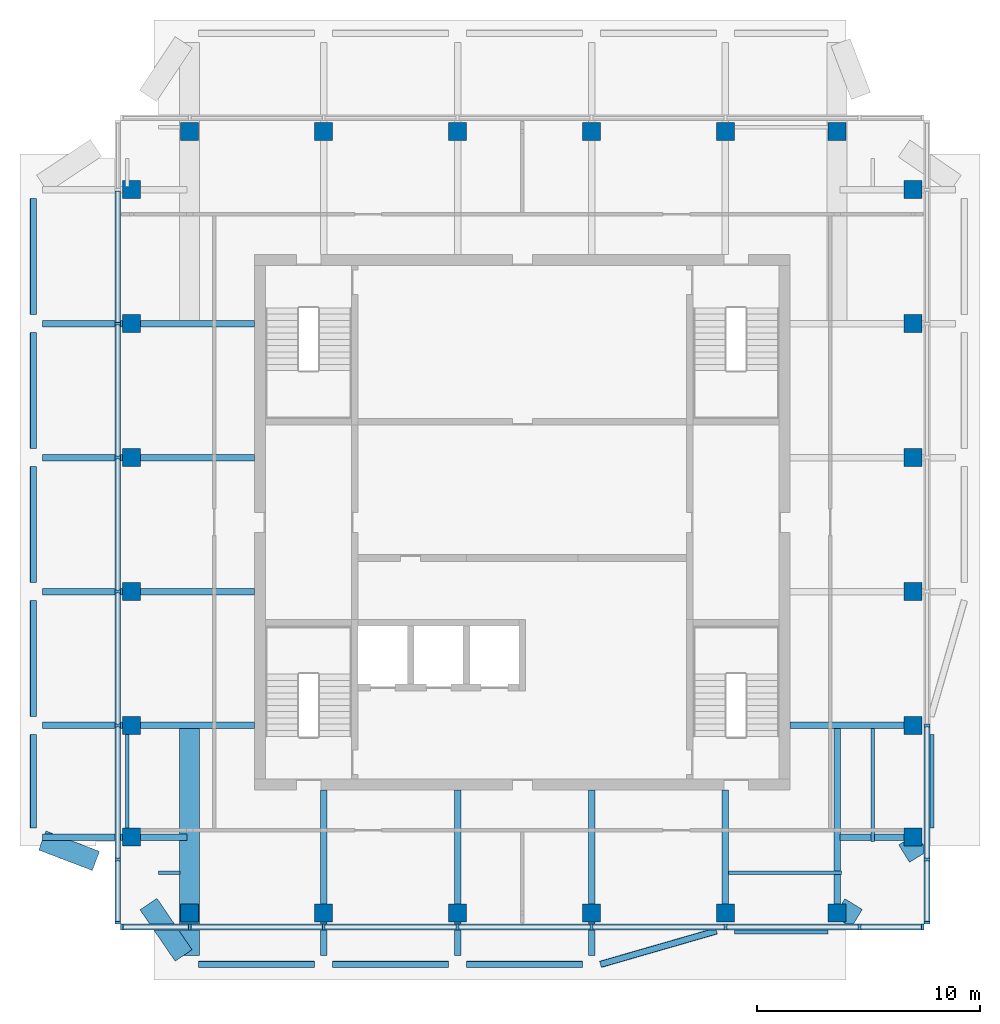
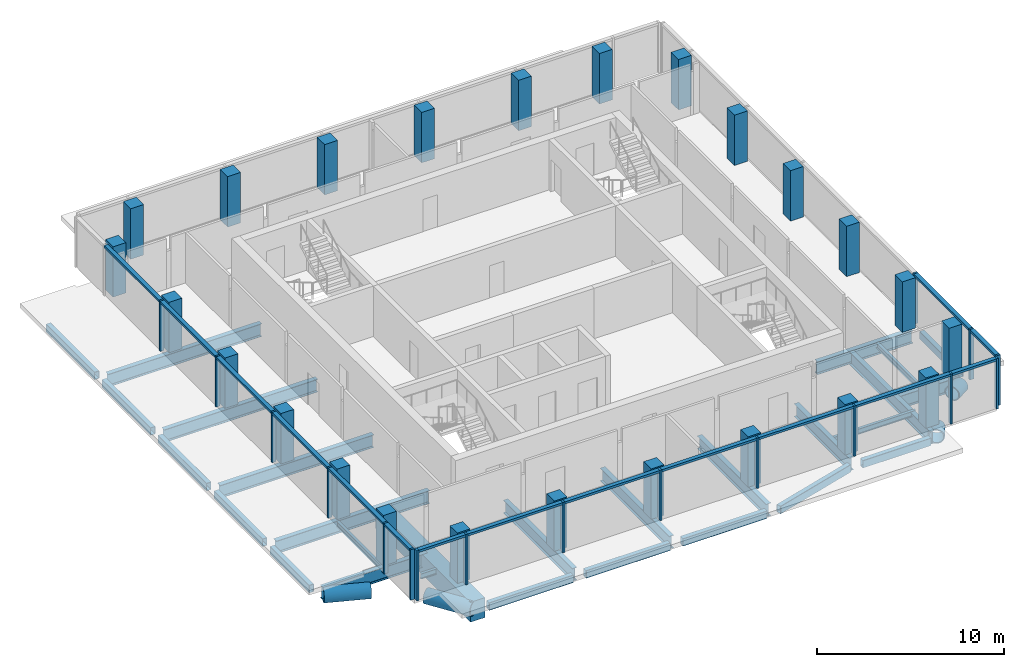
# One storey, part 1 of 6: 32 beams, 32 members, 24 columns, 3 elements without a shape of their own.
"""IFC4 building model written with IfcOpenShell, lengths in metres."""

from ifc_helpers import new_model, si_unit, direction, frame, origin, origin_2d, place, context, subcontext, project, spatial, rectangle, hollow_rectangle, hollow_circle, i_section, extrude, material, material_profile, profile_set, type_object, element, aggregate, save


model = new_model("IFC4")

# Units and contexts
model_context = context("Model", 3, precision=1e-05, world=origin(), true_north=direction((0.0, 1.0)))
body_context = subcontext(model_context, "Body", "Model", "MODEL_VIEW")
ifc_project = project(units=[si_unit("LENGTHUNIT", "METRE"), si_unit("AREAUNIT", "SQUARE_METRE"), si_unit("VOLUMEUNIT", "CUBIC_METRE"), si_unit("PLANEANGLEUNIT", "RADIAN"), si_unit("MASSUNIT", "GRAM", prefix="KILO")], contexts=[model_context])

# Site, building, storey
site_placement = place(None, origin())
site = spatial("IfcSite", under=ifc_project, at=site_placement, CompositionType="ELEMENT")
building_placement = place(site_placement, origin())
building = spatial("IfcBuilding", under=site, at=building_placement, Name="Amberfall Residences", CompositionType="ELEMENT")
storey_placement = place(building_placement, frame((0.0, 0.0, 290.800048828125)))
storey = spatial("IfcBuildingStorey", under=building, at=storey_placement, Name="L78 Crown", CompositionType="ELEMENT", Elevation=290.800048828125)

# Columns
ifc_material_1 = material(Name="Concrete C50", Category="concrete")
ifc_material_profile_1 = material_profile(ifc_material_1, rectangle(XDim=0.800048828125, YDim=0.800048828125, at=origin_2d()), Name="Column 800 x 800 C50")
ifc_profile_set_1 = profile_set([ifc_material_profile_1], Name="Concrete C50")
column_type = type_object("IfcColumnType", Name="Column 800 x 800 C50", PredefinedType="COLUMN", material=ifc_profile_set_1)
for number, where, z_axis, x_axis, name in (
    (1, (59.60009765625, 28.0, 0.0), (0.0, 0.0, 1.0), (1.0, 0.0, 0.0), "Column C5 L78 Crown S1"),
    (2, (65.60009765625, 28.0, 0.0), (0.0, 0.0, 1.0), (1.0, 0.0, 0.0), "Column C5 L78 Crown S2"),
    (3, (71.60009765625, 28.0, 0.0), (0.0, 0.0, 1.0), (1.0, 0.0, 0.0), "Column C5 L78 Crown S3"),
    (4, (77.60009765625, 28.0, 0.0), (0.0, 0.0, 1.0), (1.0, 0.0, 0.0), "Column C5 L78 Crown S4"),
    (5, (83.60009765625, 28.0, 0.0), (0.0, 0.0, 1.0), (1.0, 0.0, 0.0), "Column C5 L78 Crown S5"),
    (6, (88.60009765625, 28.0, 0.0), (0.0, 0.0, 1.0), (1.0, 0.0, 0.0), "Column C5 L78 Crown S6"),
    (7, (92.0, 31.39990234375, 0.0), (0.0, 0.0, 1.0), (1.0, 0.0, 0.0), "Column C5 L78 Crown E1"),
    (8, (92.0, 36.39990234375, 0.0), (0.0, 0.0, 1.0), (1.0, 0.0, 0.0), "Column C5 L78 Crown E2"),
    (9, (92.0, 42.39990234375, 0.0), (0.0, 0.0, 1.0), (1.0, 0.0, 0.0), "Column C5 L78 Crown E3"),
    (10, (92.0, 48.39990234375, 0.0), (0.0, 0.0, 1.0), (1.0, 0.0, 0.0), "Column C5 L78 Crown E4"),
    (11, (92.0, 54.39990234375, 0.0), (0.0, 0.0, 1.0), (1.0, 0.0, 0.0), "Column C5 L78 Crown E5"),
    (12, (92.0, 60.39990234375, 0.0), (0.0, 0.0, 1.0), (1.0, 0.0, 0.0), "Column C5 L78 Crown E6"),
    (13, (59.60009765625, 63.0, 0.0), (0.0, 0.0, 1.0), (1.0, 0.0, 0.0), "Column C5 L78 Crown N1"),
    (14, (65.60009765625, 63.0, 0.0), (0.0, 0.0, 1.0), (1.0, 0.0, 0.0), "Column C5 L78 Crown N2"),
    (15, (71.60009765625, 63.0, 0.0), (0.0, 0.0, 1.0), (1.0, 0.0, 0.0), "Column C5 L78 Crown N3"),
    (16, (77.60009765625, 63.0, 0.0), (0.0, 0.0, 1.0), (1.0, 0.0, 0.0), "Column C5 L78 Crown N4"),
    (17, (83.60009765625, 63.0, 0.0), (0.0, 0.0, 1.0), (1.0, 0.0, 0.0), "Column C5 L78 Crown N5"),
    (18, (88.60009765625, 63.0, 0.0), (0.0, 0.0, 1.0), (1.0, 0.0, 0.0), "Column C5 L78 Crown N6"),
    (19, (57.0, 31.39990234375, 0.0), (0.0, 0.0, 1.0), (1.0, 0.0, 0.0), "Column C5 L78 Crown W1"),
    (20, (57.0, 36.39990234375, 0.0), (0.0, 0.0, 1.0), (1.0, 0.0, 0.0), "Column C5 L78 Crown W2"),
    (21, (57.0, 42.39990234375, 0.0), (0.0, 0.0, 1.0), (1.0, 0.0, 0.0), "Column C5 L78 Crown W3"),
    (22, (57.0, 48.39990234375, 0.0), (0.0, 0.0, 1.0), (1.0, 0.0, 0.0), "Column C5 L78 Crown W4"),
    (23, (57.0, 54.39990234375, 0.0), (0.0, 0.0, 1.0), (1.0, 0.0, 0.0), "Column C5 L78 Crown W5"),
    (24, (57.0, 60.39990234375, 0.0), (0.0, 0.0, 1.0), (1.0, 0.0, 0.0), "Column C5 L78 Crown W6"),
):
    element("IfcColumn", number, at=place(storey_placement, frame(where, z_axis=z_axis, x_axis=x_axis)), inside=storey, type_object=column_type, Name=name, PredefinedType="COLUMN", context=body_context, shape_type="SweptSolid", body=[
        extrude(rectangle(XDim=0.800048828125, YDim=0.800048828125, at=origin_2d()), origin(), (0.0, 0.0, 1.0), 3.300048828125),
    ])

# Beams
ifc_material_2 = material(Name="Steel S355", Category="steel")
ifc_material_profile_2 = material_profile(ifc_material_2, hollow_circle(Radius=0.457275390625, WallThickness=0.06005859375, at=origin_2d()), Name="CHS 914.4x60")
ifc_profile_set_2 = profile_set([ifc_material_profile_2], Name="Steel S355")
beam_type_1 = type_object("IfcBeamType", Name="Belt truss chord BT CHS 914.4x60", PredefinedType="BEAM", material=ifc_profile_set_2)
beam_1_placement = place(storey_placement, frame((57.756103515625, 28.39990234375, -0.75732421875), z_axis=(0.564011218979, -0.825767125082, 0.0), x_axis=(0.825767125082, 0.564011218979, 0.0)))
element("IfcBeam", 25, at=beam_1_placement, inside=storey, type_object=beam_type_1, Name="Belt truss chord BT BT2 L78 Crown 45", PredefinedType="BEAM", context=body_context, shape_type="SweptSolid", body=[
    extrude(hollow_circle(Radius=0.457275390625, WallThickness=0.06005859375, at=origin_2d()), origin(), (0.0, 0.0, 1.0), 2.78515625),
])
beam_2_placement = place(storey_placement, frame((55.39990234375, 30.333251953125, -0.75732421875), z_axis=(-0.934480204889, 0.356015093317, 0.0), x_axis=(-0.356015093317, -0.934480204889, 0.0)))
element("IfcBeam", 26, at=beam_2_placement, inside=storey, type_object=beam_type_1, Name="Belt truss chord BT BT2 L78 Crown 46", PredefinedType="BEAM", context=body_context, shape_type="SweptSolid", body=[
    extrude(hollow_circle(Radius=0.457275390625, WallThickness=0.06005859375, at=origin_2d()), origin(), (0.0, 0.0, 1.0), 2.568115234375),
])
for number, where, z_axis, x_axis, name in (
    (27, (89.33837890625, 28.39990234375, -0.75732421875), (-0.524097425664, -0.851658316705, 0.0), (0.851658316705, -0.524097425664, 0.0), "Belt truss chord BT BT2 L78 Crown 47"),
    (28, (91.60009765625, 30.66162109375, -0.75732421875), (0.851658316705, 0.524097425664, 0.0), (-0.524097425664, 0.851658316705, 0.0), "Belt truss chord BT BT2 L78 Crown 48"),
):
    element("IfcBeam", number, at=place(storey_placement, frame(where, z_axis=z_axis, x_axis=x_axis)), inside=storey, type_object=beam_type_1, Name=name, PredefinedType="BEAM", context=body_context, shape_type="SweptSolid", body=[
        extrude(hollow_circle(Radius=0.457275390625, WallThickness=0.06005859375, at=origin_2d()), origin(), (0.0, 0.0, 1.0), 0.939208984375),
    ])
ifc_material_profile_3 = material_profile(ifc_material_2, hollow_rectangle(XDim=0.300048828125, YDim=0.5, WallThickness=0.01611328125, InnerFilletRadius=0.01611328125, OuterFilletRadius=0.02392578125, at=origin_2d()), Name="RHS 500x300x16")
ifc_profile_set_3 = profile_set([ifc_material_profile_3], Name="Steel S355")
beam_type_2 = type_object("IfcBeamType", Name="Belt truss chord BT RHS 500x300x16", PredefinedType="BEAM", material=ifc_profile_set_3)
for number, where, z_axis, x_axis, name in (
    (29, (60.0, 25.699951171875, -0.550048828125), (1.0, 0.0, 0.0), (0.0, 1.0, 0.0), "Belt truss chord BT BT1 L78 Crown 01"),
    (30, (66.0, 25.699951171875, -0.550048828125), (1.0, 0.0, 0.0), (0.0, 1.0, 0.0), "Belt truss chord BT BT1 L78 Crown 02"),
    (31, (72.0, 25.699951171875, -0.550048828125), (1.0, 0.0, 0.0), (0.0, 1.0, 0.0), "Belt truss chord BT BT1 L78 Crown 03"),
):
    element("IfcBeam", number, at=place(storey_placement, frame(where, z_axis=z_axis, x_axis=x_axis)), inside=storey, type_object=beam_type_2, Name=name, PredefinedType="BEAM", context=body_context, shape_type="SweptSolid", body=[
        extrude(hollow_rectangle(XDim=0.300048828125, YDim=0.5, WallThickness=0.01611328125, InnerFilletRadius=0.01611328125, OuterFilletRadius=0.02392578125, at=origin_2d()), origin(), (0.0, 0.0, 1.0), 5.199951171875),
    ])
beam_3_placement = place(storey_placement, frame((78.0, 25.699951171875, -0.550048828125), z_axis=(0.960822898108, 0.277163053945, 0.0), x_axis=(-0.277163053945, 0.960822898108, 0.0)))
element("IfcBeam", 32, at=beam_3_placement, inside=storey, type_object=beam_type_2, Name="Belt truss chord BT BT1 L78 Crown 04", PredefinedType="BEAM", context=body_context, shape_type="SweptSolid", body=[
    extrude(hollow_rectangle(XDim=0.300048828125, YDim=0.5, WallThickness=0.01611328125, InnerFilletRadius=0.01611328125, OuterFilletRadius=0.02392578125, at=origin_2d()), origin(), (0.0, 0.0, 1.0), 5.411865234375),
])
for number, where, z_axis, x_axis, name in (
    (33, (84.0, 27.199951171875, -0.550048828125), (1.0, 0.0, 0.0), (0.0, 1.0, 0.0), "Belt truss chord BT BT1 L78 Crown 05"),
    (34, (92.800048828125, 31.800048828125, -0.550048828125), (0.0, 1.0, 0.0), (-1.0, 0.0, 0.0), "Belt truss chord BT BT1 L78 Crown 12"),
    (35, (52.60009765625, 31.800048828125, -0.550048828125), (0.0, 1.0, 0.0), (-1.0, 0.0, 0.0), "Belt truss chord BT BT1 L78 Crown 34"),
):
    element("IfcBeam", number, at=place(storey_placement, frame(where, z_axis=z_axis, x_axis=x_axis)), inside=storey, type_object=beam_type_2, Name=name, PredefinedType="BEAM", context=body_context, shape_type="SweptSolid", body=[
        extrude(hollow_rectangle(XDim=0.300048828125, YDim=0.5, WallThickness=0.01611328125, InnerFilletRadius=0.01611328125, OuterFilletRadius=0.02392578125, at=origin_2d()), origin(), (0.0, 0.0, 1.0), 4.199951171875),
    ])
for number, where, z_axis, x_axis, name in (
    (36, (52.60009765625, 36.800048828125, -0.550048828125), (0.0, 1.0, 0.0), (-1.0, 0.0, 0.0), "Belt truss chord BT BT1 L78 Crown 35"),
    (37, (52.60009765625, 42.800048828125, -0.550048828125), (0.0, 1.0, 0.0), (-1.0, 0.0, 0.0), "Belt truss chord BT BT1 L78 Crown 36"),
    (38, (52.60009765625, 48.800048828125, -0.550048828125), (0.0, 1.0, 0.0), (-1.0, 0.0, 0.0), "Belt truss chord BT BT1 L78 Crown 37"),
    (39, (52.60009765625, 54.800048828125, -0.550048828125), (0.0, 1.0, 0.0), (-1.0, 0.0, 0.0), "Belt truss chord BT BT1 L78 Crown 38"),
):
    element("IfcBeam", number, at=place(storey_placement, frame(where, z_axis=z_axis, x_axis=x_axis)), inside=storey, type_object=beam_type_2, Name=name, PredefinedType="BEAM", context=body_context, shape_type="SweptSolid", body=[
        extrude(hollow_rectangle(XDim=0.300048828125, YDim=0.5, WallThickness=0.01611328125, InnerFilletRadius=0.01611328125, OuterFilletRadius=0.02392578125, at=origin_2d()), origin(), (0.0, 0.0, 1.0), 5.199951171875),
    ])

# Curtain wall, members
ifc_material_3 = material(Name="Bronze anodised aluminium and glass", Category="aluminium")
curtain_wall_type = type_object("IfcCurtainWallType", Name="Curtain wall CW6 crown louvre", PredefinedType="USERDEFINED", material=ifc_material_3)
curtain_wall_1_placement = place(storey_placement, origin())
curtain_wall_1 = element("IfcCurtainWall", 40, at=curtain_wall_1_placement, inside=storey, type_object=curtain_wall_type, Name="Curtain wall L78 Crown S S1", ObjectType="UNITISED CURTAIN WALL", PredefinedType="USERDEFINED")
ifc_material_4 = material(Name="Bronze anodised aluminium", Category="aluminium")
ifc_material_profile_4 = material_profile(ifc_material_4, rectangle(XDim=0.25, YDim=0.1201171875, at=origin_2d()), Name="CW6 mullion 120 x 250 bronze")
ifc_profile_set_4 = profile_set([ifc_material_profile_4], Name="Bronze anodised aluminium")
member_type_1 = type_object("IfcMemberType", Name="CW6 mullion 120 x 250 bronze", PredefinedType="MULLION", material=ifc_profile_set_4)
member_1_placement = place(storey_placement, frame((56.56005859375, 27.375, 0.0), z_axis=(0.0, 0.0, 1.0), x_axis=(0.0, 1.0, 0.0)))
member_1 = element("IfcMember", 41, at=member_1_placement, type_object=member_type_1, Name="CW6 mullion 1", PredefinedType="MULLION", context=body_context, shape_type="SweptSolid", body=[
    extrude(rectangle(XDim=0.25, YDim=0.1201171875, at=origin_2d()), origin(), (0.0, 0.0, 1.0), 3.300048828125),
])
member_2_placement = place(storey_placement, frame((59.60009765625, 27.375, 0.0), z_axis=(0.0, 0.0, 1.0), x_axis=(0.0, 1.0, 0.0)))
member_2 = element("IfcMember", 42, at=member_2_placement, type_object=member_type_1, Name="CW6 mullion 2", PredefinedType="MULLION", context=body_context, shape_type="SweptSolid", body=[
    extrude(rectangle(XDim=0.25, YDim=0.1201171875, at=origin_2d()), origin(), (0.0, 0.0, 1.0), 3.300048828125),
])
member_3_placement = place(storey_placement, frame((65.60009765625, 27.375, 0.0), z_axis=(0.0, 0.0, 1.0), x_axis=(0.0, 1.0, 0.0)))
member_3 = element("IfcMember", 43, at=member_3_placement, type_object=member_type_1, Name="CW6 mullion 3", PredefinedType="MULLION", context=body_context, shape_type="SweptSolid", body=[
    extrude(rectangle(XDim=0.25, YDim=0.1201171875, at=origin_2d()), origin(), (0.0, 0.0, 1.0), 3.300048828125),
])
member_4_placement = place(storey_placement, frame((71.60009765625, 27.375, 0.0), z_axis=(0.0, 0.0, 1.0), x_axis=(0.0, 1.0, 0.0)))
member_4 = element("IfcMember", 44, at=member_4_placement, type_object=member_type_1, Name="CW6 mullion 4", PredefinedType="MULLION", context=body_context, shape_type="SweptSolid", body=[
    extrude(rectangle(XDim=0.25, YDim=0.1201171875, at=origin_2d()), origin(), (0.0, 0.0, 1.0), 3.300048828125),
])
member_5_placement = place(storey_placement, frame((77.60009765625, 27.375, 0.0), z_axis=(0.0, 0.0, 1.0), x_axis=(0.0, 1.0, 0.0)))
member_5 = element("IfcMember", 45, at=member_5_placement, type_object=member_type_1, Name="CW6 mullion 5", PredefinedType="MULLION", context=body_context, shape_type="SweptSolid", body=[
    extrude(rectangle(XDim=0.25, YDim=0.1201171875, at=origin_2d()), origin(), (0.0, 0.0, 1.0), 3.300048828125),
])
member_6_placement = place(storey_placement, frame((83.60009765625, 27.375, 0.0), z_axis=(0.0, 0.0, 1.0), x_axis=(0.0, 1.0, 0.0)))
member_6 = element("IfcMember", 46, at=member_6_placement, type_object=member_type_1, Name="CW6 mullion 6", PredefinedType="MULLION", context=body_context, shape_type="SweptSolid", body=[
    extrude(rectangle(XDim=0.25, YDim=0.1201171875, at=origin_2d()), origin(), (0.0, 0.0, 1.0), 3.300048828125),
])
member_7_placement = place(storey_placement, frame((89.60009765625, 27.375, 0.0), z_axis=(0.0, 0.0, 1.0), x_axis=(0.0, 1.0, 0.0)))
member_7 = element("IfcMember", 47, at=member_7_placement, type_object=member_type_1, Name="CW6 mullion 7", PredefinedType="MULLION", context=body_context, shape_type="SweptSolid", body=[
    extrude(rectangle(XDim=0.25, YDim=0.1201171875, at=origin_2d()), origin(), (0.0, 0.0, 1.0), 3.300048828125),
])
member_8_placement = place(storey_placement, frame((92.43994140625, 27.375, 0.0), z_axis=(0.0, 0.0, 1.0), x_axis=(0.0, 1.0, 0.0)))
member_8 = element("IfcMember", 48, at=member_8_placement, type_object=member_type_1, Name="CW6 mullion 8", PredefinedType="MULLION", context=body_context, shape_type="SweptSolid", body=[
    extrude(rectangle(XDim=0.25, YDim=0.1201171875, at=origin_2d()), origin(), (0.0, 0.0, 1.0), 3.300048828125),
])

curtain_wall_2_placement = place(storey_placement, origin())
curtain_wall_2 = element("IfcCurtainWall", 49, at=curtain_wall_2_placement, inside=storey, type_object=curtain_wall_type, Name="Curtain wall L78 Crown E E1", ObjectType="UNITISED CURTAIN WALL", PredefinedType="USERDEFINED")
member_9_placement = place(storey_placement, frame((92.625, 27.56005859375, 0.0), z_axis=(0.0, 0.0, 1.0), x_axis=(-1.0, 0.0, 0.0)))
member_9 = element("IfcMember", 50, at=member_9_placement, type_object=member_type_1, Name="CW6 mullion 1", PredefinedType="MULLION", context=body_context, shape_type="SweptSolid", body=[
    extrude(rectangle(XDim=0.25, YDim=0.1201171875, at=origin_2d()), origin(), (0.0, 0.0, 1.0), 3.300048828125),
])
member_10_placement = place(storey_placement, frame((92.625, 30.39990234375, 0.0), z_axis=(0.0, 0.0, 1.0), x_axis=(-1.0, 0.0, 0.0)))
member_10 = element("IfcMember", 51, at=member_10_placement, type_object=member_type_1, Name="CW6 mullion 2", PredefinedType="MULLION", context=body_context, shape_type="SweptSolid", body=[
    extrude(rectangle(XDim=0.25, YDim=0.1201171875, at=origin_2d()), origin(), (0.0, 0.0, 1.0), 3.300048828125),
])
member_11_placement = place(storey_placement, frame((92.625, 36.39990234375, 0.0), z_axis=(0.0, 0.0, 1.0), x_axis=(-1.0, 0.0, 0.0)))
member_11 = element("IfcMember", 52, at=member_11_placement, type_object=member_type_1, Name="CW6 mullion 3", PredefinedType="MULLION", context=body_context, shape_type="SweptSolid", body=[
    extrude(rectangle(XDim=0.25, YDim=0.1201171875, at=origin_2d()), origin(), (0.0, 0.0, 1.0), 3.300048828125),
])

curtain_wall_3_placement = place(storey_placement, origin())
curtain_wall_3 = element("IfcCurtainWall", 53, at=curtain_wall_3_placement, inside=storey, type_object=curtain_wall_type, Name="Curtain wall L78 Crown W W1", ObjectType="UNITISED CURTAIN WALL", PredefinedType="USERDEFINED")
member_12_placement = place(storey_placement, frame((56.375, 54.39990234375, 0.0), z_axis=(0.0, 0.0, 1.0), x_axis=(1.0, 0.0, 0.0)))
member_12 = element("IfcMember", 54, at=member_12_placement, type_object=member_type_1, Name="CW6 mullion 3", PredefinedType="MULLION", context=body_context, shape_type="SweptSolid", body=[
    extrude(rectangle(XDim=0.25, YDim=0.1201171875, at=origin_2d()), origin(), (0.0, 0.0, 1.0), 3.300048828125),
])
member_13_placement = place(storey_placement, frame((56.375, 48.39990234375, 0.0), z_axis=(0.0, 0.0, 1.0), x_axis=(1.0, 0.0, 0.0)))
member_13 = element("IfcMember", 55, at=member_13_placement, type_object=member_type_1, Name="CW6 mullion 4", PredefinedType="MULLION", context=body_context, shape_type="SweptSolid", body=[
    extrude(rectangle(XDim=0.25, YDim=0.1201171875, at=origin_2d()), origin(), (0.0, 0.0, 1.0), 3.300048828125),
])
member_14_placement = place(storey_placement, frame((56.375, 42.39990234375, 0.0), z_axis=(0.0, 0.0, 1.0), x_axis=(1.0, 0.0, 0.0)))
member_14 = element("IfcMember", 56, at=member_14_placement, type_object=member_type_1, Name="CW6 mullion 5", PredefinedType="MULLION", context=body_context, shape_type="SweptSolid", body=[
    extrude(rectangle(XDim=0.25, YDim=0.1201171875, at=origin_2d()), origin(), (0.0, 0.0, 1.0), 3.300048828125),
])
member_15_placement = place(storey_placement, frame((56.375, 36.39990234375, 0.0), z_axis=(0.0, 0.0, 1.0), x_axis=(1.0, 0.0, 0.0)))
member_15 = element("IfcMember", 57, at=member_15_placement, type_object=member_type_1, Name="CW6 mullion 6", PredefinedType="MULLION", context=body_context, shape_type="SweptSolid", body=[
    extrude(rectangle(XDim=0.25, YDim=0.1201171875, at=origin_2d()), origin(), (0.0, 0.0, 1.0), 3.300048828125),
])
member_16_placement = place(storey_placement, frame((56.375, 30.39990234375, 0.0), z_axis=(0.0, 0.0, 1.0), x_axis=(1.0, 0.0, 0.0)))
member_16 = element("IfcMember", 58, at=member_16_placement, type_object=member_type_1, Name="CW6 mullion 7", PredefinedType="MULLION", context=body_context, shape_type="SweptSolid", body=[
    extrude(rectangle(XDim=0.25, YDim=0.1201171875, at=origin_2d()), origin(), (0.0, 0.0, 1.0), 3.300048828125),
])
member_17_placement = place(storey_placement, frame((56.375, 27.56005859375, 0.0), z_axis=(0.0, 0.0, 1.0), x_axis=(1.0, 0.0, 0.0)))
member_17 = element("IfcMember", 59, at=member_17_placement, type_object=member_type_1, Name="CW6 mullion 8", PredefinedType="MULLION", context=body_context, shape_type="SweptSolid", body=[
    extrude(rectangle(XDim=0.25, YDim=0.1201171875, at=origin_2d()), origin(), (0.0, 0.0, 1.0), 3.300048828125),
])

# Member
ifc_material_profile_5 = material_profile(ifc_material_4, rectangle(XDim=0.25, YDim=0.14990234375, at=origin_2d()), Name="CW6 transom 250 x 150 bronze")
ifc_profile_set_5 = profile_set([ifc_material_profile_5], Name="Bronze anodised aluminium")
member_type_2 = type_object("IfcMemberType", Name="CW6 transom 250 x 150 bronze", PredefinedType="USERDEFINED", material=ifc_profile_set_5)
member_18_placement = place(storey_placement, frame((56.6201171875, 27.375, 3.224853515625), z_axis=(1.0, 0.0, 0.0), x_axis=(0.0, 1.0, 0.0)))
member_18 = element("IfcMember", 60, at=member_18_placement, type_object=member_type_2, Name="CW6 transom 1.1", ObjectType="TRANSOM", PredefinedType="USERDEFINED", context=body_context, shape_type="SweptSolid", body=[
    extrude(rectangle(XDim=0.25, YDim=0.14990234375, at=origin_2d()), origin(), (0.0, 0.0, 1.0), 2.919921875),
])

member_19_placement = place(storey_placement, frame((59.659912109375, 27.375, 3.224853515625), z_axis=(1.0, 0.0, 0.0), x_axis=(0.0, 1.0, 0.0)))
member_19 = element("IfcMember", 61, at=member_19_placement, type_object=member_type_2, Name="CW6 transom 2.1", ObjectType="TRANSOM", PredefinedType="USERDEFINED", context=body_context, shape_type="SweptSolid", body=[
    extrude(rectangle(XDim=0.25, YDim=0.14990234375, at=origin_2d()), origin(), (0.0, 0.0, 1.0), 5.880126953125),
])

member_20_placement = place(storey_placement, frame((65.659912109375, 27.375, 3.224853515625), z_axis=(1.0, 0.0, 0.0), x_axis=(0.0, 1.0, 0.0)))
member_20 = element("IfcMember", 62, at=member_20_placement, type_object=member_type_2, Name="CW6 transom 3.1", ObjectType="TRANSOM", PredefinedType="USERDEFINED", context=body_context, shape_type="SweptSolid", body=[
    extrude(rectangle(XDim=0.25, YDim=0.14990234375, at=origin_2d()), origin(), (0.0, 0.0, 1.0), 5.880126953125),
])

member_21_placement = place(storey_placement, frame((71.659912109375, 27.375, 3.224853515625), z_axis=(1.0, 0.0, 0.0), x_axis=(0.0, 1.0, 0.0)))
member_21 = element("IfcMember", 63, at=member_21_placement, type_object=member_type_2, Name="CW6 transom 4.1", ObjectType="TRANSOM", PredefinedType="USERDEFINED", context=body_context, shape_type="SweptSolid", body=[
    extrude(rectangle(XDim=0.25, YDim=0.14990234375, at=origin_2d()), origin(), (0.0, 0.0, 1.0), 5.880126953125),
])

member_22_placement = place(storey_placement, frame((77.659912109375, 27.375, 3.224853515625), z_axis=(1.0, 0.0, 0.0), x_axis=(0.0, 1.0, 0.0)))
member_22 = element("IfcMember", 64, at=member_22_placement, type_object=member_type_2, Name="CW6 transom 5.1", ObjectType="TRANSOM", PredefinedType="USERDEFINED", context=body_context, shape_type="SweptSolid", body=[
    extrude(rectangle(XDim=0.25, YDim=0.14990234375, at=origin_2d()), origin(), (0.0, 0.0, 1.0), 5.880126953125),
])

member_23_placement = place(storey_placement, frame((83.659912109375, 27.375, 3.224853515625), z_axis=(1.0, 0.0, 0.0), x_axis=(0.0, 1.0, 0.0)))
member_23 = element("IfcMember", 65, at=member_23_placement, type_object=member_type_2, Name="CW6 transom 6.1", ObjectType="TRANSOM", PredefinedType="USERDEFINED", context=body_context, shape_type="SweptSolid", body=[
    extrude(rectangle(XDim=0.25, YDim=0.14990234375, at=origin_2d()), origin(), (0.0, 0.0, 1.0), 5.880126953125),
])

member_24_placement = place(storey_placement, frame((89.659912109375, 27.375, 3.224853515625), z_axis=(1.0, 0.0, 0.0), x_axis=(0.0, 1.0, 0.0)))
member_24 = element("IfcMember", 66, at=member_24_placement, type_object=member_type_2, Name="CW6 transom 7.1", ObjectType="TRANSOM", PredefinedType="USERDEFINED", context=body_context, shape_type="SweptSolid", body=[
    extrude(rectangle(XDim=0.25, YDim=0.14990234375, at=origin_2d()), origin(), (0.0, 0.0, 1.0), 2.719970703125),
])

aggregate(curtain_wall_1, [member_1, member_2, member_3, member_4, member_5, member_6, member_7, member_8, member_18, member_19, member_20, member_21, member_22, member_23, member_24])

member_25_placement = place(storey_placement, frame((92.625, 27.6201171875, 3.224853515625), z_axis=(0.0, 1.0, 0.0), x_axis=(-1.0, 0.0, 0.0)))
member_25 = element("IfcMember", 67, at=member_25_placement, type_object=member_type_2, Name="CW6 transom 1.1", ObjectType="TRANSOM", PredefinedType="USERDEFINED", context=body_context, shape_type="SweptSolid", body=[
    extrude(rectangle(XDim=0.25, YDim=0.14990234375, at=origin_2d()), origin(), (0.0, 0.0, 1.0), 2.719970703125),
])

member_26_placement = place(storey_placement, frame((92.625, 30.4599609375, 3.224853515625), z_axis=(0.0, 1.0, 0.0), x_axis=(-1.0, 0.0, 0.0)))
member_26 = element("IfcMember", 68, at=member_26_placement, type_object=member_type_2, Name="CW6 transom 2.1", ObjectType="TRANSOM", PredefinedType="USERDEFINED", context=body_context, shape_type="SweptSolid", body=[
    extrude(rectangle(XDim=0.25, YDim=0.14990234375, at=origin_2d()), origin(), (0.0, 0.0, 1.0), 5.880126953125),
])

aggregate(curtain_wall_2, [member_9, member_10, member_11, member_25, member_26])

member_27_placement = place(storey_placement, frame((56.375, 60.340087890625, 3.224853515625), z_axis=(0.0, -1.0, 0.0), x_axis=(1.0, 0.0, 0.0)))
member_27 = element("IfcMember", 69, at=member_27_placement, type_object=member_type_2, Name="CW6 transom 2.1", ObjectType="TRANSOM", PredefinedType="USERDEFINED", context=body_context, shape_type="SweptSolid", body=[
    extrude(rectangle(XDim=0.25, YDim=0.14990234375, at=origin_2d()), origin(), (0.0, 0.0, 1.0), 5.880126953125),
])

member_28_placement = place(storey_placement, frame((56.375, 54.340087890625, 3.224853515625), z_axis=(0.0, -1.0, 0.0), x_axis=(1.0, 0.0, 0.0)))
member_28 = element("IfcMember", 70, at=member_28_placement, type_object=member_type_2, Name="CW6 transom 3.1", ObjectType="TRANSOM", PredefinedType="USERDEFINED", context=body_context, shape_type="SweptSolid", body=[
    extrude(rectangle(XDim=0.25, YDim=0.14990234375, at=origin_2d()), origin(), (0.0, 0.0, 1.0), 5.880126953125),
])

member_29_placement = place(storey_placement, frame((56.375, 48.340087890625, 3.224853515625), z_axis=(0.0, -1.0, 0.0), x_axis=(1.0, 0.0, 0.0)))
member_29 = element("IfcMember", 71, at=member_29_placement, type_object=member_type_2, Name="CW6 transom 4.1", ObjectType="TRANSOM", PredefinedType="USERDEFINED", context=body_context, shape_type="SweptSolid", body=[
    extrude(rectangle(XDim=0.25, YDim=0.14990234375, at=origin_2d()), origin(), (0.0, 0.0, 1.0), 5.880126953125),
])

member_30_placement = place(storey_placement, frame((56.375, 42.340087890625, 3.224853515625), z_axis=(0.0, -1.0, 0.0), x_axis=(1.0, 0.0, 0.0)))
member_30 = element("IfcMember", 72, at=member_30_placement, type_object=member_type_2, Name="CW6 transom 5.1", ObjectType="TRANSOM", PredefinedType="USERDEFINED", context=body_context, shape_type="SweptSolid", body=[
    extrude(rectangle(XDim=0.25, YDim=0.14990234375, at=origin_2d()), origin(), (0.0, 0.0, 1.0), 5.880126953125),
])

member_31_placement = place(storey_placement, frame((56.375, 36.340087890625, 3.224853515625), z_axis=(0.0, -1.0, 0.0), x_axis=(1.0, 0.0, 0.0)))
member_31 = element("IfcMember", 73, at=member_31_placement, type_object=member_type_2, Name="CW6 transom 6.1", ObjectType="TRANSOM", PredefinedType="USERDEFINED", context=body_context, shape_type="SweptSolid", body=[
    extrude(rectangle(XDim=0.25, YDim=0.14990234375, at=origin_2d()), origin(), (0.0, 0.0, 1.0), 5.880126953125),
])

member_32_placement = place(storey_placement, frame((56.375, 30.340087890625, 3.224853515625), z_axis=(0.0, -1.0, 0.0), x_axis=(1.0, 0.0, 0.0)))
member_32 = element("IfcMember", 74, at=member_32_placement, type_object=member_type_2, Name="CW6 transom 7.1", ObjectType="TRANSOM", PredefinedType="USERDEFINED", context=body_context, shape_type="SweptSolid", body=[
    extrude(rectangle(XDim=0.25, YDim=0.14990234375, at=origin_2d()), origin(), (0.0, 0.0, 1.0), 2.719970703125),
])

aggregate(curtain_wall_3, [member_12, member_13, member_14, member_15, member_16, member_17, member_27, member_28, member_29, member_30, member_31, member_32])

# Beams
ifc_material_profile_6 = material_profile(ifc_material_2, i_section(OverallWidth=0.171142578125, OverallDepth=0.351318359375, WebThickness=0.007080078125, FlangeThickness=0.009765625, FilletRadius=0.01025390625, at=origin_2d()), Name="UB 356x171x45")
ifc_profile_set_6 = profile_set([ifc_material_profile_6], Name="Steel S355")
beam_type_3 = type_object("IfcBeamType", Name="Link beam UB 356x171x45", PredefinedType="BEAM", material=ifc_profile_set_6)
beam_4_placement = place(storey_placement, frame((58.199951171875, 29.800048828125, -0.475830078125), z_axis=(1.0, 0.0, 0.0), x_axis=(0.0, 1.0, 0.0)))
element("IfcBeam", 75, at=beam_4_placement, inside=storey, type_object=beam_type_3, Name="Link beam B7 L78 Crown 53", PredefinedType="BEAM", context=body_context, shape_type="SweptSolid", body=[
    extrude(i_section(OverallWidth=0.171142578125, OverallDepth=0.351318359375, WebThickness=0.007080078125, FlangeThickness=0.009765625, FilletRadius=0.01025390625, at=origin_2d()), origin(), (0.0, 0.0, 1.0), 0.9599609375),
])
for number, where, z_axis, x_axis, name in (
    (76, (56.800048828125, 31.199951171875, -0.475830078125), (0.0, 1.0, 0.0), (-1.0, 0.0, 0.0), "Link beam B7 L78 Crown 54"),
    (77, (88.800048828125, 29.800048828125, -0.475830078125), (-1.0, 0.0, 0.0), (0.0, -1.0, 0.0), "Link beam B7 L78 Crown 55"),
    (78, (90.199951171875, 31.199951171875, -0.475830078125), (0.0, 1.0, 0.0), (-1.0, 0.0, 0.0), "Link beam B7 L78 Crown 56"),
):
    element("IfcBeam", number, at=place(storey_placement, frame(where, z_axis=z_axis, x_axis=x_axis)), inside=storey, type_object=beam_type_3, Name=name, PredefinedType="BEAM", context=body_context, shape_type="SweptSolid", body=[
        extrude(i_section(OverallWidth=0.171142578125, OverallDepth=0.351318359375, WebThickness=0.007080078125, FlangeThickness=0.009765625, FilletRadius=0.01025390625, at=origin_2d()), origin(), (0.0, 0.0, 1.0), 5.064208984375),
    ])
ifc_material_5 = material(Name="Concrete C60", Category="concrete")
ifc_material_profile_7 = material_profile(ifc_material_5, rectangle(XDim=0.89990234375, YDim=1.300048828125, at=origin_2d()), Name="Transfer girder 900 x 1300 C60")
ifc_profile_set_7 = profile_set([ifc_material_profile_7], Name="Concrete C60")
beam_type_4 = type_object("IfcBeamType", Name="Transfer girder 900 x 1300 C60", PredefinedType="BEAM", material=ifc_profile_set_7)
beam_5_placement = place(storey_placement, frame((59.60009765625, 26.10009765625, -0.953125), z_axis=(0.0, 1.0, 0.0), x_axis=(-1.0, 0.0, 0.0)))
element("IfcBeam", 79, at=beam_5_placement, inside=storey, type_object=beam_type_4, Name="Transfer girder B5 L78 Crown 06", PredefinedType="BEAM", context=body_context, shape_type="SweptSolid", body=[
    extrude(rectangle(XDim=0.89990234375, YDim=1.300048828125, at=origin_2d()), origin(), (0.0, 0.0, 1.0), 10.1591796875),
])
ifc_material_profile_8 = material_profile(ifc_material_2, i_section(OverallWidth=0.29150390625, OverallDepth=0.8349609375, WebThickness=0.013916015625, FlangeThickness=0.018798828125, FilletRadius=0.017822265625, at=origin_2d()), Name="UB 838x292x176")
ifc_profile_set_8 = profile_set([ifc_material_profile_8], Name="Steel S355")
beam_type_5 = type_object("IfcBeamType", Name="Transfer girder UB 838x292x176", PredefinedType="BEAM", material=ifc_profile_set_8)
for number, where, z_axis, x_axis, name in (
    (80, (65.60009765625, 26.10009765625, -0.717529296875), (0.0, 1.0, 0.0), (-1.0, 0.0, 0.0), "Transfer girder B6 L78 Crown 07"),
    (81, (71.60009765625, 26.10009765625, -0.717529296875), (0.0, 1.0, 0.0), (-1.0, 0.0, 0.0), "Transfer girder B6 L78 Crown 08"),
    (82, (77.60009765625, 26.10009765625, -0.717529296875), (0.0, 1.0, 0.0), (-1.0, 0.0, 0.0), "Transfer girder B6 L78 Crown 09"),
):
    element("IfcBeam", number, at=place(storey_placement, frame(where, z_axis=z_axis, x_axis=x_axis)), inside=storey, type_object=beam_type_5, Name=name, PredefinedType="BEAM", context=body_context, shape_type="SweptSolid", body=[
        extrude(i_section(OverallWidth=0.29150390625, OverallDepth=0.8349609375, WebThickness=0.013916015625, FlangeThickness=0.018798828125, FilletRadius=0.017822265625, at=origin_2d()), origin(), (0.0, 0.0, 1.0), 7.39990234375),
    ])
beam_6_placement = place(storey_placement, frame((83.60009765625, 27.60009765625, -0.717529296875), z_axis=(0.0, 1.0, 0.0), x_axis=(-1.0, 0.0, 0.0)))
element("IfcBeam", 83, at=beam_6_placement, inside=storey, type_object=beam_type_5, Name="Transfer girder B6 L78 Crown 10", PredefinedType="BEAM", context=body_context, shape_type="SweptSolid", body=[
    extrude(i_section(OverallWidth=0.29150390625, OverallDepth=0.8349609375, WebThickness=0.013916015625, FlangeThickness=0.018798828125, FilletRadius=0.017822265625, at=origin_2d()), origin(), (0.0, 0.0, 1.0), 5.89990234375),
])
beam_7_placement = place(storey_placement, frame((88.60009765625, 27.60009765625, -0.720458984375), z_axis=(0.0, 1.0, 0.0), x_axis=(-1.0, 0.0, 0.0)))
element("IfcBeam", 84, at=beam_7_placement, inside=storey, type_object=beam_type_5, Name="Transfer girder B6 L78 Crown 11", PredefinedType="BEAM", context=body_context, shape_type="SweptSolid", body=[
    extrude(i_section(OverallWidth=0.29150390625, OverallDepth=0.8349609375, WebThickness=0.013916015625, FlangeThickness=0.018798828125, FilletRadius=0.017822265625, at=origin_2d()), origin(), (0.0, 0.0, 1.0), 8.6591796875),
])
beam_8_placement = place(storey_placement, frame((92.39990234375, 31.39990234375, -0.717529296875), z_axis=(-1.0, 0.0, 0.0), x_axis=(0.0, -1.0, 0.0)))
element("IfcBeam", 85, at=beam_8_placement, inside=storey, type_object=beam_type_5, Name="Transfer girder B6 L78 Crown 17", PredefinedType="BEAM", context=body_context, shape_type="SweptSolid", body=[
    extrude(i_section(OverallWidth=0.29150390625, OverallDepth=0.8349609375, WebThickness=0.013916015625, FlangeThickness=0.018798828125, FilletRadius=0.017822265625, at=origin_2d()), origin(), (0.0, 0.0, 1.0), 3.679931640625),
])
beam_9_placement = place(storey_placement, frame((92.39990234375, 36.39990234375, -0.723388671875), z_axis=(-1.0, 0.0, 0.0), x_axis=(0.0, -1.0, 0.0)))
element("IfcBeam", 86, at=beam_9_placement, inside=storey, type_object=beam_type_5, Name="Transfer girder B6 L78 Crown 18", PredefinedType="BEAM", context=body_context, shape_type="SweptSolid", body=[
    extrude(i_section(OverallWidth=0.29150390625, OverallDepth=0.8349609375, WebThickness=0.013916015625, FlangeThickness=0.018798828125, FilletRadius=0.017822265625, at=origin_2d()), origin(), (0.0, 0.0, 1.0), 5.89990234375),
])
beam_10_placement = place(storey_placement, frame((53.0, 31.39990234375, -0.717529296875), z_axis=(1.0, 0.0, 0.0), x_axis=(0.0, 1.0, 0.0)))
element("IfcBeam", 87, at=beam_10_placement, inside=storey, type_object=beam_type_5, Name="Transfer girder B6 L78 Crown 39", PredefinedType="BEAM", context=body_context, shape_type="SweptSolid", body=[
    extrude(i_section(OverallWidth=0.29150390625, OverallDepth=0.8349609375, WebThickness=0.013916015625, FlangeThickness=0.018798828125, FilletRadius=0.017822265625, at=origin_2d()), origin(), (0.0, 0.0, 1.0), 6.47998046875),
])
for number, where, z_axis, x_axis, name in (
    (88, (53.0, 36.39990234375, -0.723388671875), (1.0, 0.0, 0.0), (0.0, 1.0, 0.0), "Transfer girder B6 L78 Crown 40"),
    (89, (53.0, 42.39990234375, -0.717529296875), (1.0, 0.0, 0.0), (0.0, 1.0, 0.0), "Transfer girder B6 L78 Crown 41"),
    (90, (53.0, 48.39990234375, -0.717529296875), (1.0, 0.0, 0.0), (0.0, 1.0, 0.0), "Transfer girder B6 L78 Crown 42"),
    (91, (53.0, 54.39990234375, -0.723388671875), (1.0, 0.0, 0.0), (0.0, 1.0, 0.0), "Transfer girder B6 L78 Crown 43"),
):
    element("IfcBeam", number, at=place(storey_placement, frame(where, z_axis=z_axis, x_axis=x_axis)), inside=storey, type_object=beam_type_5, Name=name, PredefinedType="BEAM", context=body_context, shape_type="SweptSolid", body=[
        extrude(i_section(OverallWidth=0.29150390625, OverallDepth=0.8349609375, WebThickness=0.013916015625, FlangeThickness=0.018798828125, FilletRadius=0.017822265625, at=origin_2d()), origin(), (0.0, 0.0, 1.0), 9.5),
    ])

save(model, "model.ifc")
